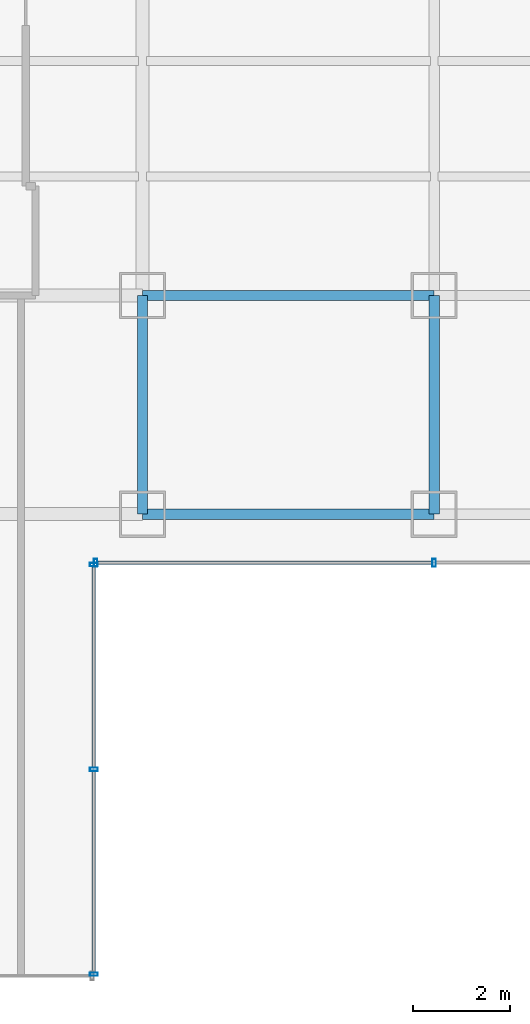
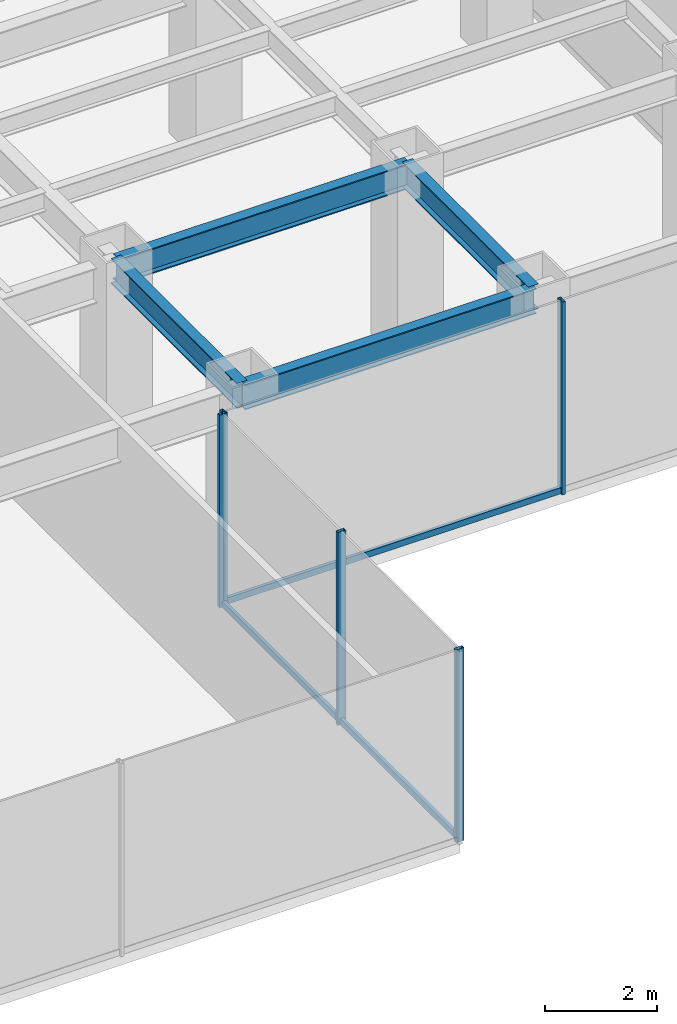
# One storey, part 10 of 35: 8 members, 4 beams, 2 elements without a shape of their own.
"""IFC4 building model written with IfcOpenShell, lengths in metres."""

from ifc_helpers import new_model, si_unit, derived_unit, direction, frame, origin, origin_2d, place, context, subcontext, project, spatial, hollow_rectangle, i_section, extrude, source, transform, mapped, material, material_profile, profile_set, type_object, element, aggregate, save


model = new_model("IFC4")

# Units and contexts
model_context = context("Model", 3, precision=1e-05, world=origin(), true_north=direction((0.0, 1.0)))
body_context = subcontext(model_context, "Body", "Model", "MODEL_VIEW")
ifc_project = project(units=[si_unit("LENGTHUNIT", "METRE"), si_unit("AREAUNIT", "SQUARE_METRE"), si_unit("VOLUMEUNIT", "CUBIC_METRE"), si_unit("PLANEANGLEUNIT", "RADIAN"), si_unit("MASSUNIT", "GRAM", prefix="KILO"), derived_unit("THERMALTRANSMITTANCEUNIT", [(si_unit("POWERUNIT", "WATT"), 1), (si_unit("LENGTHUNIT", "METRE"), -2), (si_unit("THERMODYNAMICTEMPERATUREUNIT", "KELVIN"), -1)])], contexts=[model_context])

# Site, building, storey
site_placement = place(None, origin())
site = spatial("IfcSite", under=ifc_project, at=site_placement, CompositionType="ELEMENT")
building_placement = place(site_placement, origin())
building = spatial("IfcBuilding", under=site, at=building_placement, Name="Skarnbrae Concourse Arena and Tower", CompositionType="ELEMENT")
storey_placement = place(building_placement, frame((0.0, 0.0, 79.949951171875)))
storey = spatial("IfcBuildingStorey", under=building, at=storey_placement, Name="L19", CompositionType="ELEMENT", Elevation=79.949951171875)

# Beams
ifc_material_1 = material(Name="Steel CSA G40.21 350W", Category="steel")
ifc_material_profile_1 = material_profile(ifc_material_1, i_section(OverallWidth=0.214111328125, OverallDepth=0.549072265625, WebThickness=0.0146484375, FlangeThickness=0.023681640625, at=origin_2d()), Name="W530X138")
ifc_profile_set_1 = profile_set([ifc_material_profile_1], Name="Steel CSA G40.21 350W")
beam_type = type_object("IfcBeamType", Name="BM-SPAN-W530X138", PredefinedType="SPANDREL", material=ifc_profile_set_1)
shared_shape_1 = source(origin(), body_context, "Body", "SweptSolid", [
    extrude(i_section(OverallWidth=0.214111328125, OverallDepth=0.549072265625, WebThickness=0.0146484375, FlangeThickness=0.023681640625, at=origin_2d()), origin(), (0.0, 0.0, 1.0), 6.0),
])
for number, where, z_axis, x_axis, name in (
    (1, (49.0, 9.5, 3.62548828125), (1.0, 0.0, 0.0), (0.0, 1.0, 0.0), "L19 Perimeter spandrel Y9.5-3"),
    (2, (49.0, 14.0, 3.62548828125), (1.0, 0.0, 0.0), (0.0, 1.0, 0.0), "L19 Perimeter spandrel Y14.0-8"),
):
    element("IfcBeam", number, at=place(storey_placement, frame(where, z_axis=z_axis, x_axis=x_axis)), inside=storey, type_object=beam_type, Name=name, PredefinedType="SPANDREL", context=body_context, shape_type="MappedRepresentation", body=[
        mapped(shared_shape_1, transform((0.0, 0.0, 0.0))),
    ])
shared_shape_2 = source(origin(), body_context, "Body", "SweptSolid", [
    extrude(i_section(OverallWidth=0.214111328125, OverallDepth=0.549072265625, WebThickness=0.0146484375, FlangeThickness=0.023681640625, at=origin_2d()), origin(), (0.0, 0.0, 1.0), 4.5),
])
for number, where, z_axis, x_axis, name in (
    (3, (49.0, 9.5, 3.62548828125), (0.0, 1.0, 0.0), (-1.0, 0.0, 0.0), "L19 Perimeter spandrel X49.0-1"),
    (4, (55.0, 9.5, 3.62548828125), (0.0, 1.0, 0.0), (-1.0, 0.0, 0.0), "L19 Perimeter spandrel X55.0-1"),
):
    element("IfcBeam", number, at=place(storey_placement, frame(where, z_axis=z_axis, x_axis=x_axis)), inside=storey, type_object=beam_type, Name=name, PredefinedType="SPANDREL", context=body_context, shape_type="MappedRepresentation", body=[
        mapped(shared_shape_2, transform((0.0, 0.0, 0.0))),
    ])

# Curtain wall, members
ifc_material_2 = material(Name="Bronze anodised aluminium 6063-T6", Category="aluminium")
curtain_wall_type = type_object("IfcCurtainWallType", Name="CW-SYS-06-SKYLOBBY", PredefinedType="USERDEFINED", material=ifc_material_2)
curtain_wall_1_placement = place(storey_placement, origin())
curtain_wall_1 = element("IfcCurtainWall", 5, at=curtain_wall_1_placement, inside=storey, type_object=curtain_wall_type, Name="L19 Unitised curtain wall CW-L19-E02", ObjectType="UNITISED CURTAIN WALL", PredefinedType="USERDEFINED")
ifc_material_profile_2 = material_profile(ifc_material_2, hollow_rectangle(XDim=0.070068359375, YDim=0.1650390625, WallThickness=0.00390625, at=origin_2d()), Name="ALU-MULL-70X165")
ifc_profile_set_2 = profile_set([ifc_material_profile_2], Name="Bronze anodised aluminium 6063-T6")
member_type_1 = type_object("IfcMemberType", Name="CWM-CW-06", PredefinedType="MULLION", material=ifc_profile_set_2)
shared_shape_3 = source(origin(), body_context, "Body", "SweptSolid", [
    extrude(hollow_rectangle(XDim=0.070068359375, YDim=0.1650390625, WallThickness=0.00390625, at=origin_2d()), origin(), (0.0, 0.0, 1.0), 4.199951171875),
])
member_1_placement = place(storey_placement, frame((48.0, 0.034912109375, 0.0), z_axis=(0.0, 0.0, 1.0), x_axis=(0.0, 1.0, 0.0)))
member_1 = element("IfcMember", 6, at=member_1_placement, type_object=member_type_1, Name="CW-L19-E02 Mullion 1", PredefinedType="MULLION", context=body_context, shape_type="MappedRepresentation", body=[
    mapped(shared_shape_3, transform((0.0, 0.0, 0.0))),
])
member_2_placement = place(storey_placement, frame((48.0, 4.25, 0.0), z_axis=(0.0, 0.0, 1.0), x_axis=(0.0, 1.0, 0.0)))
member_2 = element("IfcMember", 7, at=member_2_placement, type_object=member_type_1, Name="CW-L19-E02 Mullion 2", PredefinedType="MULLION", context=body_context, shape_type="MappedRepresentation", body=[
    mapped(shared_shape_3, transform((0.0, 0.0, 0.0))),
])
member_3_placement = place(storey_placement, frame((48.0, 8.465087890625, 0.0), z_axis=(0.0, 0.0, 1.0), x_axis=(0.0, 1.0, 0.0)))
member_3 = element("IfcMember", 8, at=member_3_placement, type_object=member_type_1, Name="CW-L19-E02 Mullion 3", PredefinedType="MULLION", context=body_context, shape_type="MappedRepresentation", body=[
    mapped(shared_shape_3, transform((0.0, 0.0, 0.0))),
])

curtain_wall_2_placement = place(storey_placement, origin())
curtain_wall_2 = element("IfcCurtainWall", 9, at=curtain_wall_2_placement, inside=storey, type_object=curtain_wall_type, Name="L19 Unitised curtain wall CW-L19-E03", ObjectType="UNITISED CURTAIN WALL", PredefinedType="USERDEFINED")
member_4_placement = place(storey_placement, frame((48.034912109375, 8.5, 0.0), z_axis=(0.0, 0.0, 1.0), x_axis=(1.0, 0.0, 0.0)))
member_4 = element("IfcMember", 10, at=member_4_placement, type_object=member_type_1, Name="CW-L19-E03 Mullion 1", PredefinedType="MULLION", context=body_context, shape_type="MappedRepresentation", body=[
    mapped(shared_shape_3, transform((0.0, 0.0, 0.0))),
])
member_5_placement = place(storey_placement, frame((55.0, 8.5, 0.0), z_axis=(0.0, 0.0, 1.0), x_axis=(1.0, 0.0, 0.0)))
member_5 = element("IfcMember", 11, at=member_5_placement, type_object=member_type_1, Name="CW-L19-E03 Mullion 2", PredefinedType="MULLION", context=body_context, shape_type="MappedRepresentation", body=[
    mapped(shared_shape_3, transform((0.0, 0.0, 0.0))),
])
ifc_material_profile_3 = material_profile(ifc_material_2, hollow_rectangle(XDim=0.070068359375, YDim=0.135009765625, WallThickness=0.00390625, at=origin_2d()), Name="ALU-TRAN-70X135")
ifc_profile_set_3 = profile_set([ifc_material_profile_3], Name="Bronze anodised aluminium 6063-T6")
member_type_2 = type_object("IfcMemberType", Name="CWT-CW-06", PredefinedType="USERDEFINED", material=ifc_profile_set_3)
shared_shape_4 = source(origin(), body_context, "Body", "SweptSolid", [
    extrude(hollow_rectangle(XDim=0.070068359375, YDim=0.135009765625, WallThickness=0.00390625, at=origin_2d()), origin(), (0.0, 0.0, 1.0), 6.89501953125),
])
member_6_placement = place(storey_placement, frame((48.070068359375, 8.5, 0.067626953125), z_axis=(1.0, 0.0, 0.0), x_axis=(0.0, 1.0, 0.0)))
member_6 = element("IfcMember", 12, at=member_6_placement, type_object=member_type_2, Name="CW-L19-E03 Transom 1", ObjectType="TRANSOM", PredefinedType="USERDEFINED", context=body_context, shape_type="MappedRepresentation", body=[
    mapped(shared_shape_4, transform((0.0, 0.0, 0.0))),
])
aggregate(curtain_wall_2, [member_4, member_5, member_6])

# Member
shared_shape_5 = source(origin(), body_context, "Body", "SweptSolid", [
    extrude(hollow_rectangle(XDim=0.070068359375, YDim=0.135009765625, WallThickness=0.00390625, at=origin_2d()), origin(), (0.0, 0.0, 1.0), 4.14501953125),
])
member_7_placement = place(storey_placement, frame((48.0, 0.070068359375, 0.067626953125), z_axis=(0.0, 1.0, 0.0), x_axis=(-1.0, 0.0, 0.0)))
member_7 = element("IfcMember", 13, at=member_7_placement, type_object=member_type_2, Name="CW-L19-E02 Transom 1", ObjectType="TRANSOM", PredefinedType="USERDEFINED", context=body_context, shape_type="MappedRepresentation", body=[
    mapped(shared_shape_5, transform((0.0, 0.0, 0.0))),
])

member_8_placement = place(storey_placement, frame((48.0, 4.284912109375, 0.067626953125), z_axis=(0.0, 1.0, 0.0), x_axis=(-1.0, 0.0, 0.0)))
member_8 = element("IfcMember", 14, at=member_8_placement, type_object=member_type_2, Name="CW-L19-E02 Transom 2", ObjectType="TRANSOM", PredefinedType="USERDEFINED", context=body_context, shape_type="MappedRepresentation", body=[
    mapped(shared_shape_5, transform((0.0, 0.0, 0.0))),
])

aggregate(curtain_wall_1, [member_1, member_2, member_3, member_7, member_8])

save(model, "model.ifc")
